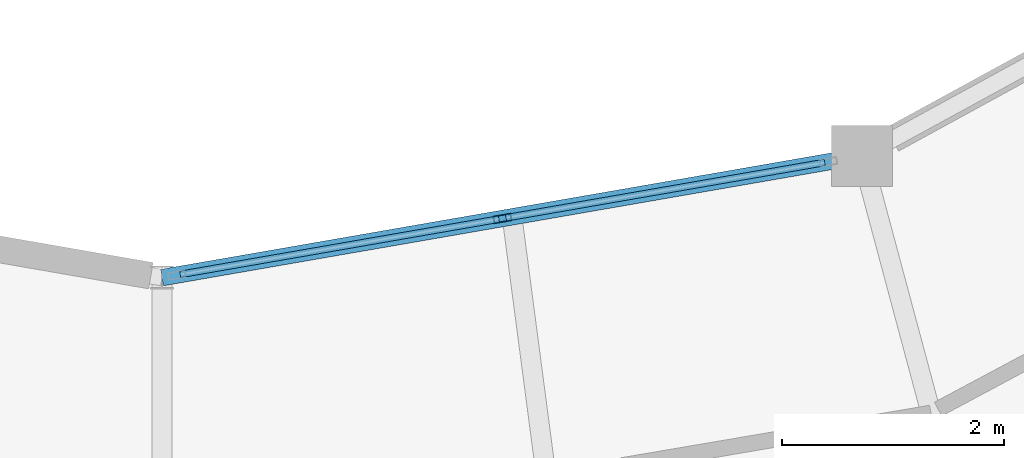
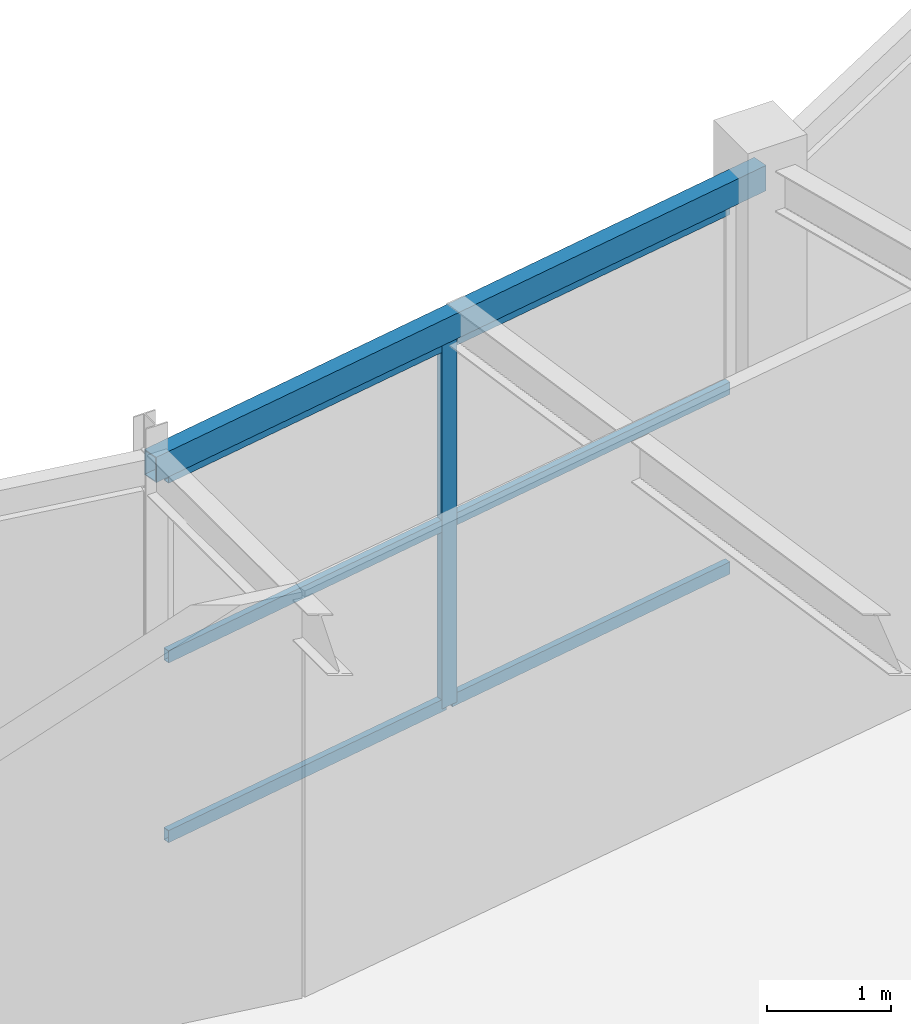
# One storey, part 25 of 106: 7 members, 1 beam, 1 element without a shape of its own.
"""IFC4 building model written with IfcOpenShell, lengths in metres."""

import ifcopenshell
import ifcopenshell.guid

model = None  # the IFC model being written
_history = None  # IfcOwnerHistory: only IFC2X3 demands one
_inside = {}  # id of a spatial element -> (the spatial element, [elements in it])
_under = {}  # id of a project, library or spatial element -> (it, [spatial elements below it])
_declared = {}  # id of a project -> (the project, [libraries it declares])
_typed = {}  # id of a type object -> (the type object, [elements of that type])
_made_of = {}  # id of a material, layer set ... -> (it, [elements and type objects made of it])


def new_model(schema):
    """Start an empty IFC model of exactly this schema.

    Asked for "IFC4X3", IfcOpenShell would pick the latest addendum, in which some entities
    have other attributes; the version numbers below select the first issue.
    IFC2X3 requires an IfcOwnerHistory on every rooted entity: one is made here for all.
    """
    global model, _history
    if schema == "IFC4X3":
        model = ifcopenshell.file(schema_version=(4, 3, 0, 0))
    else:
        model = ifcopenshell.file(schema=schema)
    _inside.clear()
    _under.clear()
    _declared.clear()
    _typed.clear()
    _made_of.clear()
    _history = None
    if model.schema == "IFC2X3":
        org = make("IfcOrganization", Name="unknown")
        user = make(
            "IfcPersonAndOrganization",
            ThePerson=make("IfcPerson", FamilyName="unknown"),
            TheOrganization=org,
        )
        app = make(
            "IfcApplication",
            ApplicationDeveloper=org,
            Version="unknown",
            ApplicationFullName="unknown",
            ApplicationIdentifier="unknown",
        )
        _history = make(
            "IfcOwnerHistory",
            OwningUser=user,
            OwningApplication=app,
            ChangeAction="ADDED",
            CreationDate=0,
        )
    return model


def make(cls, **values):
    """One entity of the class cls with the attributes given. An attribute that is None is left unset."""
    return model.create_entity(
        cls, **{name: value for name, value in values.items() if value is not None}
    )


def rooted(cls, **values):
    """An entity with a GlobalId (a new one), such as an element, a storey or a relation."""
    return make(cls, GlobalId=ifcopenshell.guid.new(), OwnerHistory=_history, **values)


def si_unit(unit_type, name, prefix=None):
    """IfcSIUnit, for example si_unit("LENGTHUNIT", "METRE", prefix="MILLI")."""
    return make("IfcSIUnit", UnitType=unit_type, Prefix=prefix, Name=name)


def assignment(units):
    """IfcUnitAssignment: the units of a project."""
    return None if units is None else make("IfcUnitAssignment", Units=units)


def point(xyz):
    """IfcCartesianPoint."""
    return None if xyz is None else make("IfcCartesianPoint", Coordinates=xyz)


def direction(xyz):
    """IfcDirection."""
    return None if xyz is None else make("IfcDirection", DirectionRatios=xyz)


def frame(location, z_axis=None, x_axis=None):
    """IfcAxis2Placement3D, a coordinate frame: its origin and axes. An axis left out is left unset."""
    return make(
        "IfcAxis2Placement3D",
        Location=point(location),
        Axis=direction(z_axis),
        RefDirection=direction(x_axis),
    )


def frame_2d(location, x_axis=None):
    """IfcAxis2Placement2D, a coordinate frame in the plane: its origin and x axis."""
    return make(
        "IfcAxis2Placement2D", Location=point(location), RefDirection=direction(x_axis)
    )


def origin():
    """The frame at (0, 0, 0) with its axes left unset."""
    return frame((0.0, 0.0, 0.0))


def origin_2d():
    """The frame at (0, 0) in the plane with its x axis left unset."""
    return frame_2d((0.0, 0.0))


def place(relative_to, where):
    """IfcLocalPlacement: puts the frame where relative to a parent placement (None: the world)."""
    return make(
        "IfcLocalPlacement", PlacementRelTo=relative_to, RelativePlacement=where
    )


def context(
    kind, dimensions, precision=None, world=None, true_north=None, identifier=None
):
    """IfcGeometricRepresentationContext, for example the 3D "Model" context."""
    return make(
        "IfcGeometricRepresentationContext",
        ContextIdentifier=identifier,
        ContextType=kind,
        CoordinateSpaceDimension=dimensions,
        Precision=precision,
        WorldCoordinateSystem=world,
        TrueNorth=true_north,
    )


def subcontext(parent, identifier, kind, view, scale=None):
    """IfcGeometricRepresentationSubContext, for example "Body" below "Model"."""
    return make(
        "IfcGeometricRepresentationSubContext",
        ContextIdentifier=identifier,
        ContextType=kind,
        ParentContext=parent,
        TargetScale=scale,
        TargetView=view,
    )


def project(units=None, contexts=None):
    """IfcProject with its units and contexts."""
    return rooted(
        "IfcProject",
        Name="project",
        RepresentationContexts=contexts,
        UnitsInContext=assignment(units),
    )


def spatial(cls, under=None, at=None, **own):
    """A site, building, storey or space (cls), placed at a placement, below another one or the project."""
    s = rooted(cls, ObjectPlacement=at, **own)
    if under is not None:
        _under.setdefault(under.id(), (under, []))[1].append(s)
    return s


def profile(cls, at=None, kind="AREA", **sizes):
    """A parametric profile (cls). Its sizes go by their IFC names, for example OverallWidth=200.0."""
    return make(cls, ProfileType=kind, Position=at, **sizes)


def hollow_rectangle(**sizes):
    """IfcRectangleHollowProfileDef."""
    return profile("IfcRectangleHollowProfileDef", **sizes)


def extrude(swept, where, along, depth):
    """IfcExtrudedAreaSolid: the profile swept, set in the frame where, extruded along a direction by depth."""
    return make(
        "IfcExtrudedAreaSolid",
        SweptArea=swept,
        Position=where,
        ExtrudedDirection=direction(along),
        Depth=depth,
    )


def shape(context_of_items, identifier, shape_type, items):
    """IfcShapeRepresentation: the items that make up one representation, for example the "Body"."""
    return make(
        "IfcShapeRepresentation",
        ContextOfItems=context_of_items,
        RepresentationIdentifier=identifier,
        RepresentationType=shape_type,
        Items=items,
    )


def material(Name=None, Category=None):
    """IfcMaterial."""
    return make("IfcMaterial", Name=Name, Category=Category)


def material_profile(
    of_material, cross_section, Name=None, Category=None, Priority=None
):
    """IfcMaterialProfile: a cross section and its material."""
    return make(
        "IfcMaterialProfile",
        Name=Name,
        Material=of_material,
        Profile=cross_section,
        Priority=Priority,
        Category=Category,
    )


def profile_set(profiles, Name=None, composite=None):
    """IfcMaterialProfileSet."""
    return make(
        "IfcMaterialProfileSet",
        Name=Name,
        MaterialProfiles=profiles,
        CompositeProfile=composite,
    )


def made_of(thing, what):
    """Note that an element or type object is made of a material, layer set ...; save() writes the relation."""
    if what is not None:
        _made_of.setdefault(what.id(), (what, []))[1].append(thing)
    return thing


def type_object(cls, material=None, **own):
    """A type object (cls), such as IfcWallType, which elements share."""
    return made_of(rooted(cls, **own), material)


def element(
    cls,
    number,
    at=None,
    inside=None,
    cuts=None,
    type_object=None,
    material=None,
    context=None,
    identifier="Body",
    shape_type=None,
    held_by="IfcProductDefinitionShape",
    body=None,
    shapes=None,
    **own,
):
    """One element of the class cls, such as IfcWall. Its Tag is "e" and its number.

    at: its placement. inside: the storey or other place that contains it. cuts: it is an
    opening in that element (IfcRelVoidsElement). A single representation is given by context,
    identifier, shape_type and body (its items); several are given by shapes. held_by: the class
    of the entity that holds the representations. save() writes the other relations.
    """
    e = rooted(cls, Tag="e%d" % number, ObjectPlacement=at, **own)
    if body is not None:
        shapes = [shape(context, identifier, shape_type, body)]
    if shapes is not None:
        e.Representation = make(held_by, Representations=shapes)
    if inside is not None:
        _inside.setdefault(inside.id(), (inside, []))[1].append(e)
    if cuts is not None:
        rooted(
            "IfcRelVoidsElement", RelatingBuildingElement=cuts, RelatedOpeningElement=e
        )
    if type_object is not None:
        _typed.setdefault(type_object.id(), (type_object, []))[1].append(e)
    return made_of(e, material)


def aggregate(whole, parts):
    """IfcRelAggregates: a whole, such as a stair, and the parts it consists of."""
    return rooted("IfcRelAggregates", RelatingObject=whole, RelatedObjects=parts)


def save(model, path):
    """Write the relations noted so far, then the file.

    IfcRelAggregates (storeys below a building ...), IfcRelContainedInSpatialStructure (elements
    in a storey), IfcRelDefinesByType, IfcRelAssociatesMaterial and IfcRelDeclares: one each for
    every whole, place, type object, material and project.
    """
    for whole, parts in _under.values():
        aggregate(whole, parts)
    for where, things in _inside.values():
        rooted(
            "IfcRelContainedInSpatialStructure",
            RelatedElements=things,
            RelatingStructure=where,
        )
    for kind, things in _typed.values():
        rooted("IfcRelDefinesByType", RelatedObjects=things, RelatingType=kind)
    for what, things in _made_of.values():
        rooted("IfcRelAssociatesMaterial", RelatedObjects=things, RelatingMaterial=what)
    for by, libraries in _declared.values():
        rooted("IfcRelDeclares", RelatingContext=by, RelatedDefinitions=libraries)
    model.write(path)


model = new_model("IFC4")

# Units and contexts
model_context = context("Model", 3, precision=1e-05, world=origin(), true_north=direction((0.0, 1.0)))
body_context = subcontext(model_context, "Body", "Model", "MODEL_VIEW")
ifc_project = project(units=[si_unit("LENGTHUNIT", "METRE"), si_unit("AREAUNIT", "SQUARE_METRE"), si_unit("VOLUMEUNIT", "CUBIC_METRE"), si_unit("PLANEANGLEUNIT", "RADIAN"), si_unit("MASSUNIT", "GRAM", prefix="KILO")], contexts=[model_context])

# Site, building, storey
site_placement = place(None, origin())
site = spatial("IfcSite", under=ifc_project, at=site_placement, CompositionType="ELEMENT")
building_placement = place(site_placement, origin())
building = spatial("IfcBuilding", under=site, at=building_placement, Name="Karori Crest Natural Sciences Institute", CompositionType="ELEMENT")
storey_placement = place(building_placement, frame((0.0, 0.0, 25.89990234375)))
storey = spatial("IfcBuildingStorey", under=building, at=storey_placement, Name="L06", CompositionType="ELEMENT", Elevation=25.89990234375)

# Beam
ifc_material_1 = material(Name="Hollow structural steel AS/NZS 1163 Grade C350", Category="steel")
ifc_material_profile_1 = material_profile(ifc_material_1, hollow_rectangle(XDim=0.14990234375, YDim=0.25, WallThickness=0.009033203125, at=origin_2d()), Name="RHS250x150x9")
ifc_profile_set_1 = profile_set([ifc_material_profile_1], Name="Hollow structural steel AS/NZS 1163 Grade C350")
beam_type = type_object("IfcBeamType", Name="BT-16", PredefinedType="SPANDREL", material=ifc_profile_set_1)
beam_placement = place(storey_placement, frame((66.39990234375, 17.699951171875, 3.739990234375), z_axis=(0.985241372425, 0.17117078624, 0.0), x_axis=(-0.17117078624, 0.985241372425, 0.0)))
element("IfcBeam", 1, at=beam_placement, inside=storey, type_object=beam_type, Name="Beam B-0699", PredefinedType="SPANDREL", context=body_context, shape_type="SweptSolid", body=[
    extrude(hollow_rectangle(XDim=0.14990234375, YDim=0.25, WallThickness=0.009033203125, at=origin_2d()), origin(), (0.0, 0.0, 1.0), 6.40966796875),
])

# Curtain wall, members
ifc_material_2 = material(Name="Anodised architectural aluminium 6063-T6", Category="aluminium")
curtain_wall_type = type_object("IfcCurtainWallType", Name="CWT-14", PredefinedType="NOTDEFINED", material=ifc_material_2)
curtain_wall_placement = place(storey_placement, origin())
curtain_wall = element("IfcCurtainWall", 2, at=curtain_wall_placement, inside=storey, type_object=curtain_wall_type, Name="Curtain wall CW-0212", PredefinedType="NOTDEFINED")
ifc_material_profile_2 = material_profile(ifc_material_2, hollow_rectangle(XDim=0.06494140625, YDim=0.159912109375, WallThickness=0.00390625, at=origin_2d()), Name="CWM160x65x4")
ifc_profile_set_2 = profile_set([ifc_material_profile_2], Name="Anodised architectural aluminium 6063-T6")
member_type_1 = type_object("IfcMemberType", Name="CWM-01", PredefinedType="MULLION", material=ifc_profile_set_2)
member_1_placement = place(storey_placement, frame((69.471435546875, 18.233642578125, 0.0), z_axis=(0.0, 0.0, 1.0), x_axis=(-0.171173924291, 0.985240827231, 0.0)))
member_1 = element("IfcMember", 3, at=member_1_placement, type_object=member_type_1, Name="CW-0212 mullion 2", PredefinedType="MULLION", context=body_context, shape_type="SweptSolid", body=[
    extrude(hollow_rectangle(XDim=0.06494140625, YDim=0.159912109375, WallThickness=0.00390625, at=origin_2d()), origin(), (0.0, 0.0, 1.0), 3.60009765625),
])
ifc_material_profile_3 = material_profile(ifc_material_2, hollow_rectangle(XDim=0.06005859375, YDim=0.1201171875, WallThickness=0.00390625, at=origin_2d()), Name="CWT120x60x4")
ifc_profile_set_3 = profile_set([ifc_material_profile_3], Name="Anodised architectural aluminium 6063-T6")
member_type_2 = type_object("IfcMemberType", Name="CWT-TR1", PredefinedType="USERDEFINED", material=ifc_profile_set_3)
member_2_placement = place(storey_placement, frame((66.564453125, 17.728515625, 0.030029296875), z_axis=(0.98523753612, 0.171192866149, 0.0), x_axis=(-0.171192866149, 0.98523753612, 0.0)))
member_2 = element("IfcMember", 4, at=member_2_placement, type_object=member_type_2, Name="CW-0212 transom 1.1", ObjectType="TRANSOM", PredefinedType="USERDEFINED", context=body_context, shape_type="SweptSolid", body=[
    extrude(hollow_rectangle(XDim=0.06005859375, YDim=0.1201171875, WallThickness=0.00390625, at=origin_2d()), origin(), (0.0, 0.0, 1.0), 2.917724609375),
])
member_3_placement = place(storey_placement, frame((66.564453125, 17.728515625, 1.800048828125), z_axis=(0.98523753612, 0.171192866149, 0.0), x_axis=(-0.171192866149, 0.98523753612, 0.0)))
member_3 = element("IfcMember", 5, at=member_3_placement, type_object=member_type_2, Name="CW-0212 transom 1.2", ObjectType="TRANSOM", PredefinedType="USERDEFINED", context=body_context, shape_type="SweptSolid", body=[
    extrude(hollow_rectangle(XDim=0.06005859375, YDim=0.1201171875, WallThickness=0.00390625, at=origin_2d()), origin(), (0.0, 0.0, 1.0), 2.917724609375),
])
member_4_placement = place(storey_placement, frame((66.564453125, 17.728515625, 3.570068359375), z_axis=(0.98523753612, 0.171192866149, 0.0), x_axis=(-0.171192866149, 0.98523753612, 0.0)))
member_4 = element("IfcMember", 6, at=member_4_placement, type_object=member_type_2, Name="CW-0212 transom 1.3", ObjectType="TRANSOM", PredefinedType="USERDEFINED", context=body_context, shape_type="SweptSolid", body=[
    extrude(hollow_rectangle(XDim=0.06005859375, YDim=0.1201171875, WallThickness=0.00390625, at=origin_2d()), origin(), (0.0, 0.0, 1.0), 2.917724609375),
])
member_5_placement = place(storey_placement, frame((69.50341796875, 18.2392578125, 0.030029296875), z_axis=(0.98523753612, 0.171192866149, 0.0), x_axis=(-0.171192866149, 0.98523753612, 0.0)))
member_5 = element("IfcMember", 7, at=member_5_placement, type_object=member_type_2, Name="CW-0212 transom 2.1", ObjectType="TRANSOM", PredefinedType="USERDEFINED", context=body_context, shape_type="SweptSolid", body=[
    extrude(hollow_rectangle(XDim=0.06005859375, YDim=0.1201171875, WallThickness=0.00390625, at=origin_2d()), origin(), (0.0, 0.0, 1.0), 2.917724609375),
])
member_6_placement = place(storey_placement, frame((69.50341796875, 18.2392578125, 1.800048828125), z_axis=(0.98523753612, 0.171192866149, 0.0), x_axis=(-0.171192866149, 0.98523753612, 0.0)))
member_6 = element("IfcMember", 8, at=member_6_placement, type_object=member_type_2, Name="CW-0212 transom 2.2", ObjectType="TRANSOM", PredefinedType="USERDEFINED", context=body_context, shape_type="SweptSolid", body=[
    extrude(hollow_rectangle(XDim=0.06005859375, YDim=0.1201171875, WallThickness=0.00390625, at=origin_2d()), origin(), (0.0, 0.0, 1.0), 2.917724609375),
])
member_7_placement = place(storey_placement, frame((69.50341796875, 18.2392578125, 3.570068359375), z_axis=(0.98523753612, 0.171192866149, 0.0), x_axis=(-0.171192866149, 0.98523753612, 0.0)))
member_7 = element("IfcMember", 9, at=member_7_placement, type_object=member_type_2, Name="CW-0212 transom 2.3", ObjectType="TRANSOM", PredefinedType="USERDEFINED", context=body_context, shape_type="SweptSolid", body=[
    extrude(hollow_rectangle(XDim=0.06005859375, YDim=0.1201171875, WallThickness=0.00390625, at=origin_2d()), origin(), (0.0, 0.0, 1.0), 2.917724609375),
])
aggregate(curtain_wall, [member_1, member_2, member_3, member_4, member_5, member_6, member_7])

save(model, "model.ifc")
